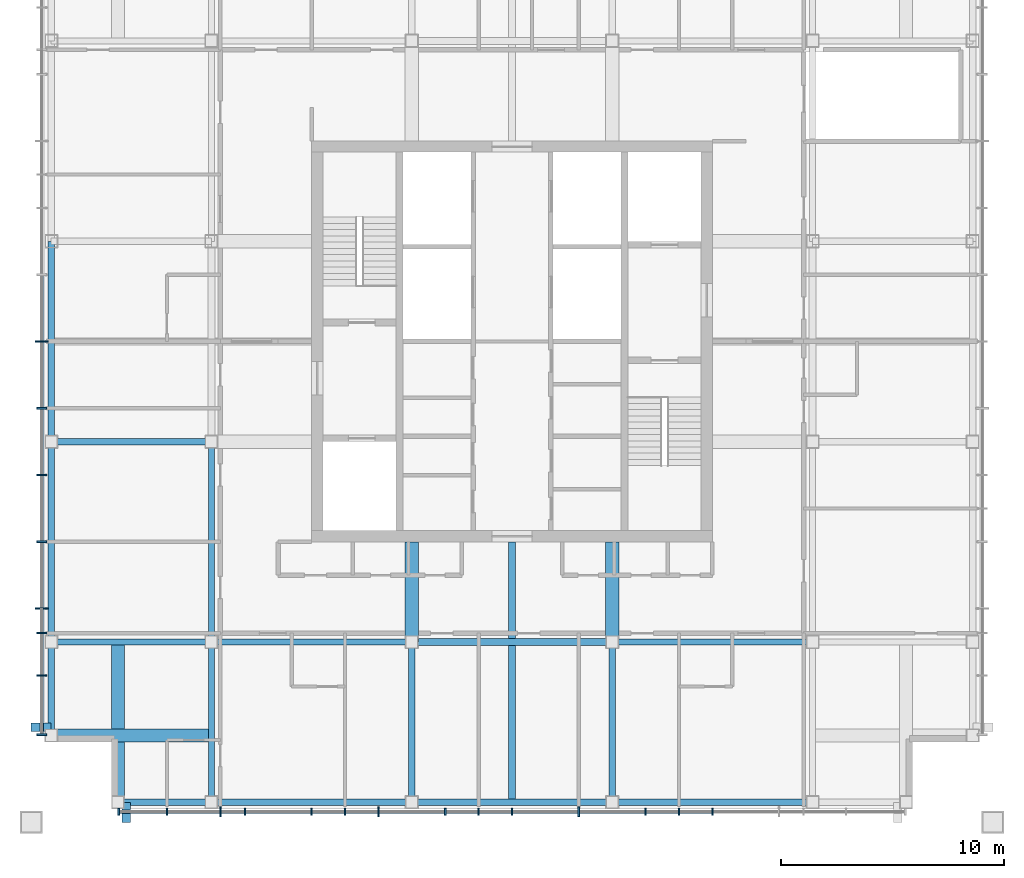
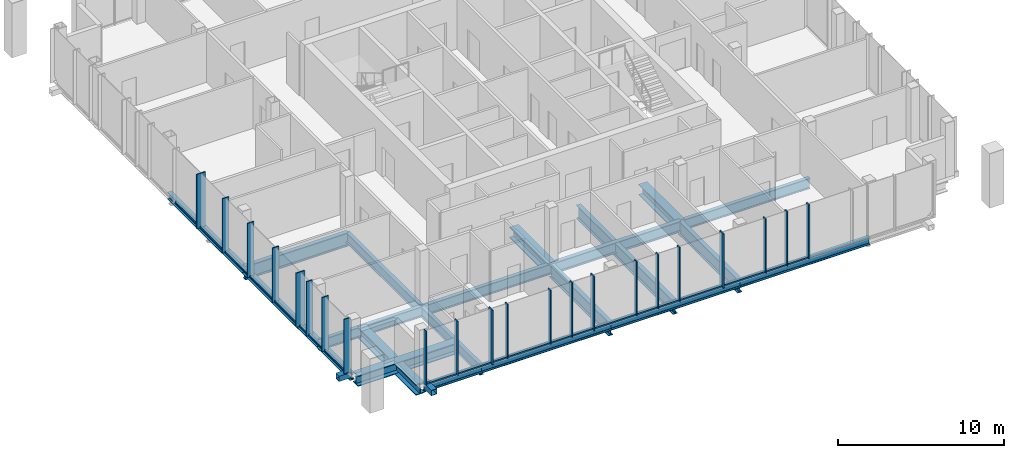
# One storey, part 2 of 12: 45 members, 21 beams, 2 elements without a shape of their own.
"""IFC4 building model written with IfcOpenShell, lengths in metres."""

from ifc_helpers import new_model, si_unit, direction, frame, origin, origin_2d, place, context, subcontext, project, spatial, rectangle, hollow_rectangle, i_section, extrude, material, layer, layer_set, material_profile, profile_set, type_object, element, aggregate, save


model = new_model("IFC4")

# Units and contexts
model_context = context("Model", 3, precision=1e-05, world=origin(), true_north=direction((0.0, 1.0)))
body_context = subcontext(model_context, "Body", "Model", "MODEL_VIEW")
ifc_project = project(units=[si_unit("LENGTHUNIT", "METRE"), si_unit("AREAUNIT", "SQUARE_METRE"), si_unit("VOLUMEUNIT", "CUBIC_METRE"), si_unit("PLANEANGLEUNIT", "RADIAN"), si_unit("MASSUNIT", "GRAM", prefix="KILO")], contexts=[model_context])

# Site, building, storey
site_placement = place(None, origin())
site = spatial("IfcSite", under=ifc_project, at=site_placement, CompositionType="ELEMENT")
building_placement = place(site_placement, origin())
building = spatial("IfcBuilding", under=site, at=building_placement, Name="Malebo Sky Hospital", CompositionType="ELEMENT")
storey_placement = place(building_placement, frame((0.0, 0.0, 286.0)))
storey = spatial("IfcBuildingStorey", under=building, at=storey_placement, Name="L69", CompositionType="ELEMENT", Elevation=286.0)

# Curtain wall, members
ifc_material_1 = material(Name="Anodised aluminium, natural silver", Category="aluminium")
ifc_layer_1 = layer(ifc_material_1, 0.25)
ifc_layer_set_1 = layer_set([ifc_layer_1], Name="WARD CURTAIN WALL EAST AND WEST")
curtain_wall_type_1 = type_object("IfcCurtainWallType", Name="WARD CURTAIN WALL EAST AND WEST", PredefinedType="NOTDEFINED", material=ifc_layer_set_1)
curtain_wall_1_placement = place(storey_placement, origin())
curtain_wall_1 = element("IfcCurtainWall", 1, at=curtain_wall_1_placement, inside=storey, type_object=curtain_wall_type_1, Name="EW curtain wall W", PredefinedType="NOTDEFINED")
ifc_material_profile_1 = material_profile(ifc_material_1, rectangle(XDim=0.14990234375, YDim=0.10009765625, at=origin_2d()), Name="ALUMINIUM TRANSOM 150x100")
ifc_profile_set_1 = profile_set([ifc_material_profile_1], Name="Anodised aluminium, natural silver")
member_type_1 = type_object("IfcMemberType", Name="ALUMINIUM TRANSOM 150x100", PredefinedType="USERDEFINED", material=ifc_profile_set_1)
member_1_placement = place(storey_placement, frame((38.875, 44.375, 0.050048828125), z_axis=(0.0, 1.0, 0.0), x_axis=(-1.0, 0.0, 0.0)))
member_1 = element("IfcMember", 2, at=member_1_placement, type_object=member_type_1, Name="Transom 1", ObjectType="TRANSOM", PredefinedType="USERDEFINED", context=body_context, shape_type="SweptSolid", body=[
    extrude(rectangle(XDim=0.14990234375, YDim=0.10009765625, at=origin_2d()), origin(), (0.0, 0.0, 1.0), 2.58740234375),
])
member_2_placement = place(storey_placement, frame((38.875, 47.03759765625, 0.050048828125), z_axis=(0.0, 1.0, 0.0), x_axis=(-1.0, 0.0, 0.0)))
member_2 = element("IfcMember", 3, at=member_2_placement, type_object=member_type_1, Name="Transom 2", ObjectType="TRANSOM", PredefinedType="USERDEFINED", context=body_context, shape_type="SweptSolid", body=[
    extrude(rectangle(XDim=0.14990234375, YDim=0.10009765625, at=origin_2d()), origin(), (0.0, 0.0, 1.0), 1.824951171875),
])
member_3_placement = place(storey_placement, frame((38.875, 48.9375, 0.050048828125), z_axis=(0.0, 1.0, 0.0), x_axis=(-1.0, 0.0, 0.0)))
member_3 = element("IfcMember", 4, at=member_3_placement, type_object=member_type_1, Name="Transom 3", ObjectType="TRANSOM", PredefinedType="USERDEFINED", context=body_context, shape_type="SweptSolid", body=[
    extrude(rectangle(XDim=0.14990234375, YDim=0.10009765625, at=origin_2d()), origin(), (0.0, 0.0, 1.0), 1.02490234375),
])
member_4_placement = place(storey_placement, frame((38.875, 50.03759765625, 0.050048828125), z_axis=(0.0, 1.0, 0.0), x_axis=(-1.0, 0.0, 0.0)))
member_4 = element("IfcMember", 5, at=member_4_placement, type_object=member_type_1, Name="Transom 4", ObjectType="TRANSOM", PredefinedType="USERDEFINED", context=body_context, shape_type="SweptSolid", body=[
    extrude(rectangle(XDim=0.14990234375, YDim=0.10009765625, at=origin_2d()), origin(), (0.0, 0.0, 1.0), 2.9248046875),
])
member_5_placement = place(storey_placement, frame((38.875, 53.03759765625, 0.050048828125), z_axis=(0.0, 1.0, 0.0), x_axis=(-1.0, 0.0, 0.0)))
member_5 = element("IfcMember", 6, at=member_5_placement, type_object=member_type_1, Name="Transom 5", ObjectType="TRANSOM", PredefinedType="USERDEFINED", context=body_context, shape_type="SweptSolid", body=[
    extrude(rectangle(XDim=0.14990234375, YDim=0.10009765625, at=origin_2d()), origin(), (0.0, 0.0, 1.0), 2.9248046875),
])
member_6_placement = place(storey_placement, frame((38.875, 56.03759765625, 0.050048828125), z_axis=(0.0, 1.0, 0.0), x_axis=(-1.0, 0.0, 0.0)))
member_6 = element("IfcMember", 7, at=member_6_placement, type_object=member_type_1, Name="Transom 6", ObjectType="TRANSOM", PredefinedType="USERDEFINED", context=body_context, shape_type="SweptSolid", body=[
    extrude(rectangle(XDim=0.14990234375, YDim=0.10009765625, at=origin_2d()), origin(), (0.0, 0.0, 1.0), 2.9248046875),
])
member_7_placement = place(storey_placement, frame((38.875, 59.03759765625, 0.050048828125), z_axis=(0.0, 1.0, 0.0), x_axis=(-1.0, 0.0, 0.0)))
member_7 = element("IfcMember", 8, at=member_7_placement, type_object=member_type_1, Name="Transom 7", ObjectType="TRANSOM", PredefinedType="USERDEFINED", context=body_context, shape_type="SweptSolid", body=[
    extrude(rectangle(XDim=0.14990234375, YDim=0.10009765625, at=origin_2d()), origin(), (0.0, 0.0, 1.0), 2.9248046875),
])
member_8_placement = place(storey_placement, frame((38.875, 62.03759765625, 0.050048828125), z_axis=(0.0, 1.0, 0.0), x_axis=(-1.0, 0.0, 0.0)))
member_8 = element("IfcMember", 9, at=member_8_placement, type_object=member_type_1, Name="Transom 8", ObjectType="TRANSOM", PredefinedType="USERDEFINED", context=body_context, shape_type="SweptSolid", body=[
    extrude(rectangle(XDim=0.14990234375, YDim=0.10009765625, at=origin_2d()), origin(), (0.0, 0.0, 1.0), 2.9248046875),
])

ifc_layer_2 = layer(ifc_material_1, 0.25)
ifc_layer_set_2 = layer_set([ifc_layer_2], Name="WARD CURTAIN WALL NORTH AND SOUTH")
curtain_wall_type_2 = type_object("IfcCurtainWallType", Name="WARD CURTAIN WALL NORTH AND SOUTH", PredefinedType="NOTDEFINED", material=ifc_layer_set_2)
curtain_wall_2_placement = place(storey_placement, origin())
curtain_wall_2 = element("IfcCurtainWall", 10, at=curtain_wall_2_placement, inside=storey, type_object=curtain_wall_type_2, Name="NS curtain wall S", PredefinedType="NOTDEFINED")
member_9_placement = place(storey_placement, frame((68.96240234375, 40.875, 0.050048828125), z_axis=(-1.0, 0.0, 0.0), x_axis=(0.0, -1.0, 0.0)))
member_9 = element("IfcMember", 11, at=member_9_placement, type_object=member_type_1, Name="Transom 5", ObjectType="TRANSOM", PredefinedType="USERDEFINED", context=body_context, shape_type="SweptSolid", body=[
    extrude(rectangle(XDim=0.14990234375, YDim=0.10009765625, at=origin_2d()), origin(), (0.0, 0.0, 1.0), 1.4248046875),
])
member_10_placement = place(storey_placement, frame((67.46240234375, 40.875, 0.050048828125), z_axis=(-1.0, 0.0, 0.0), x_axis=(0.0, -1.0, 0.0)))
member_10 = element("IfcMember", 12, at=member_10_placement, type_object=member_type_1, Name="Transom 6", ObjectType="TRANSOM", PredefinedType="USERDEFINED", context=body_context, shape_type="SweptSolid", body=[
    extrude(rectangle(XDim=0.14990234375, YDim=0.10009765625, at=origin_2d()), origin(), (0.0, 0.0, 1.0), 1.4248046875),
])
member_11_placement = place(storey_placement, frame((65.96240234375, 40.875, 0.050048828125), z_axis=(-1.0, 0.0, 0.0), x_axis=(0.0, -1.0, 0.0)))
member_11 = element("IfcMember", 13, at=member_11_placement, type_object=member_type_1, Name="Transom 7", ObjectType="TRANSOM", PredefinedType="USERDEFINED", context=body_context, shape_type="SweptSolid", body=[
    extrude(rectangle(XDim=0.14990234375, YDim=0.10009765625, at=origin_2d()), origin(), (0.0, 0.0, 1.0), 2.9248046875),
])
member_12_placement = place(storey_placement, frame((62.96240234375, 40.875, 0.050048828125), z_axis=(-1.0, 0.0, 0.0), x_axis=(0.0, -1.0, 0.0)))
member_12 = element("IfcMember", 14, at=member_12_placement, type_object=member_type_1, Name="Transom 8", ObjectType="TRANSOM", PredefinedType="USERDEFINED", context=body_context, shape_type="SweptSolid", body=[
    extrude(rectangle(XDim=0.14990234375, YDim=0.10009765625, at=origin_2d()), origin(), (0.0, 0.0, 1.0), 2.9248046875),
])
member_13_placement = place(storey_placement, frame((59.96240234375, 40.875, 0.050048828125), z_axis=(-1.0, 0.0, 0.0), x_axis=(0.0, -1.0, 0.0)))
member_13 = element("IfcMember", 15, at=member_13_placement, type_object=member_type_1, Name="Transom 9", ObjectType="TRANSOM", PredefinedType="USERDEFINED", context=body_context, shape_type="SweptSolid", body=[
    extrude(rectangle(XDim=0.14990234375, YDim=0.10009765625, at=origin_2d()), origin(), (0.0, 0.0, 1.0), 1.4248046875),
])
member_14_placement = place(storey_placement, frame((58.46240234375, 40.875, 0.050048828125), z_axis=(-1.0, 0.0, 0.0), x_axis=(0.0, -1.0, 0.0)))
member_14 = element("IfcMember", 16, at=member_14_placement, type_object=member_type_1, Name="Transom 10", ObjectType="TRANSOM", PredefinedType="USERDEFINED", context=body_context, shape_type="SweptSolid", body=[
    extrude(rectangle(XDim=0.14990234375, YDim=0.10009765625, at=origin_2d()), origin(), (0.0, 0.0, 1.0), 1.4248046875),
])
member_15_placement = place(storey_placement, frame((56.96240234375, 40.875, 0.050048828125), z_axis=(-1.0, 0.0, 0.0), x_axis=(0.0, -1.0, 0.0)))
member_15 = element("IfcMember", 17, at=member_15_placement, type_object=member_type_1, Name="Transom 11", ObjectType="TRANSOM", PredefinedType="USERDEFINED", context=body_context, shape_type="SweptSolid", body=[
    extrude(rectangle(XDim=0.14990234375, YDim=0.10009765625, at=origin_2d()), origin(), (0.0, 0.0, 1.0), 2.9248046875),
])
member_16_placement = place(storey_placement, frame((53.96240234375, 40.875, 0.050048828125), z_axis=(-1.0, 0.0, 0.0), x_axis=(0.0, -1.0, 0.0)))
member_16 = element("IfcMember", 18, at=member_16_placement, type_object=member_type_1, Name="Transom 12", ObjectType="TRANSOM", PredefinedType="USERDEFINED", context=body_context, shape_type="SweptSolid", body=[
    extrude(rectangle(XDim=0.14990234375, YDim=0.10009765625, at=origin_2d()), origin(), (0.0, 0.0, 1.0), 1.4248046875),
])
member_17_placement = place(storey_placement, frame((52.46240234375, 40.875, 0.050048828125), z_axis=(-1.0, 0.0, 0.0), x_axis=(0.0, -1.0, 0.0)))
member_17 = element("IfcMember", 19, at=member_17_placement, type_object=member_type_1, Name="Transom 13", ObjectType="TRANSOM", PredefinedType="USERDEFINED", context=body_context, shape_type="SweptSolid", body=[
    extrude(rectangle(XDim=0.14990234375, YDim=0.10009765625, at=origin_2d()), origin(), (0.0, 0.0, 1.0), 1.4248046875),
])
member_18_placement = place(storey_placement, frame((50.96240234375, 40.875, 0.050048828125), z_axis=(-1.0, 0.0, 0.0), x_axis=(0.0, -1.0, 0.0)))
member_18 = element("IfcMember", 20, at=member_18_placement, type_object=member_type_1, Name="Transom 14", ObjectType="TRANSOM", PredefinedType="USERDEFINED", context=body_context, shape_type="SweptSolid", body=[
    extrude(rectangle(XDim=0.14990234375, YDim=0.10009765625, at=origin_2d()), origin(), (0.0, 0.0, 1.0), 2.9248046875),
])
member_19_placement = place(storey_placement, frame((47.96240234375, 40.875, 0.050048828125), z_axis=(-1.0, 0.0, 0.0), x_axis=(0.0, -1.0, 0.0)))
member_19 = element("IfcMember", 21, at=member_19_placement, type_object=member_type_1, Name="Transom 15", ObjectType="TRANSOM", PredefinedType="USERDEFINED", context=body_context, shape_type="SweptSolid", body=[
    extrude(rectangle(XDim=0.14990234375, YDim=0.10009765625, at=origin_2d()), origin(), (0.0, 0.0, 1.0), 1.02490234375),
])
member_20_placement = place(storey_placement, frame((46.862548828125, 40.875, 0.050048828125), z_axis=(-1.0, 0.0, 0.0), x_axis=(0.0, -1.0, 0.0)))
member_20 = element("IfcMember", 22, at=member_20_placement, type_object=member_type_1, Name="Transom 16", ObjectType="TRANSOM", PredefinedType="USERDEFINED", context=body_context, shape_type="SweptSolid", body=[
    extrude(rectangle(XDim=0.14990234375, YDim=0.10009765625, at=origin_2d()), origin(), (0.0, 0.0, 1.0), 2.324951171875),
])
member_21_placement = place(storey_placement, frame((44.46240234375, 40.875, 0.050048828125), z_axis=(-1.0, 0.0, 0.0), x_axis=(0.0, -1.0, 0.0)))
member_21 = element("IfcMember", 23, at=member_21_placement, type_object=member_type_1, Name="Transom 17", ObjectType="TRANSOM", PredefinedType="USERDEFINED", context=body_context, shape_type="SweptSolid", body=[
    extrude(rectangle(XDim=0.14990234375, YDim=0.10009765625, at=origin_2d()), origin(), (0.0, 0.0, 1.0), 2.08740234375),
])

# Members
ifc_material_2 = material(Name="Steel S355", Category="steel")
ifc_material_profile_2 = material_profile(ifc_material_2, hollow_rectangle(XDim=0.39990234375, YDim=0.39990234375, WallThickness=0.02001953125, at=origin_2d()), Name="SHS 400x20")
ifc_profile_set_2 = profile_set([ifc_material_profile_2], Name="Steel S355")
member_type_2 = type_object("IfcMemberType", Name="BRACE STRUT SHS 400x20", PredefinedType="STRUT", material=ifc_profile_set_2)
for number, where, z_axis, x_axis, name in (
    (24, (42.671875, 40.39990234375, -0.39990234375), (0.0, 1.0, 0.0), (-1.0, 0.0, 0.0), "Brace strut DS2 L69"),
    (25, (38.39990234375, 44.671875, -0.39990234375), (1.0, 0.0, 0.0), (0.0, 1.0, 0.0), "Brace strut DW1 L69"),
):
    element("IfcMember", number, at=place(storey_placement, frame(where, z_axis=z_axis, x_axis=x_axis)), inside=storey, type_object=member_type_2, Name=name, PredefinedType="STRUT", context=body_context, shape_type="SweptSolid", body=[
        extrude(hollow_rectangle(XDim=0.39990234375, YDim=0.39990234375, WallThickness=0.02001953125, at=origin_2d()), origin(), (0.0, 0.0, 1.0), 0.900146484375),
    ])

# Member
ifc_material_profile_3 = material_profile(ifc_material_1, rectangle(XDim=0.074951171875, YDim=0.300048828125, at=origin_2d()), Name="CW1 ALUMINIUM FIN MULLION 75x300")
ifc_profile_set_3 = profile_set([ifc_material_profile_3], Name="Anodised aluminium, natural silver")
member_type_3 = type_object("IfcMemberType", Name="CW1 ALUMINIUM FIN MULLION 75x300", PredefinedType="MULLION", material=ifc_profile_set_3)
member_22_placement = place(storey_placement, frame((69.0, 40.875, 0.0), z_axis=(0.0, 0.0, 1.0), x_axis=(-1.0, 0.0, 0.0)))
member_22 = element("IfcMember", 26, at=member_22_placement, type_object=member_type_3, Name="Fin mullion 5", PredefinedType="MULLION", context=body_context, shape_type="SweptSolid", body=[
    extrude(rectangle(XDim=0.074951171875, YDim=0.300048828125, at=origin_2d()), origin(), (0.0, 0.0, 1.0), 4.0),
])

member_23_placement = place(storey_placement, frame((67.5, 40.875, 0.0), z_axis=(0.0, 0.0, 1.0), x_axis=(-1.0, 0.0, 0.0)))
member_23 = element("IfcMember", 27, at=member_23_placement, type_object=member_type_3, Name="Fin mullion 6", PredefinedType="MULLION", context=body_context, shape_type="SweptSolid", body=[
    extrude(rectangle(XDim=0.074951171875, YDim=0.300048828125, at=origin_2d()), origin(), (0.0, 0.0, 1.0), 4.0),
])

member_24_placement = place(storey_placement, frame((66.0, 40.875, 0.0), z_axis=(0.0, 0.0, 1.0), x_axis=(-1.0, 0.0, 0.0)))
member_24 = element("IfcMember", 28, at=member_24_placement, type_object=member_type_3, Name="Fin mullion 7", PredefinedType="MULLION", context=body_context, shape_type="SweptSolid", body=[
    extrude(rectangle(XDim=0.074951171875, YDim=0.300048828125, at=origin_2d()), origin(), (0.0, 0.0, 1.0), 4.0),
])

member_25_placement = place(storey_placement, frame((60.0, 40.875, 0.0), z_axis=(0.0, 0.0, 1.0), x_axis=(-1.0, 0.0, 0.0)))
member_25 = element("IfcMember", 29, at=member_25_placement, type_object=member_type_3, Name="Fin mullion 9", PredefinedType="MULLION", context=body_context, shape_type="SweptSolid", body=[
    extrude(rectangle(XDim=0.074951171875, YDim=0.300048828125, at=origin_2d()), origin(), (0.0, 0.0, 1.0), 4.0),
])

member_26_placement = place(storey_placement, frame((58.5, 40.875, 0.0), z_axis=(0.0, 0.0, 1.0), x_axis=(-1.0, 0.0, 0.0)))
member_26 = element("IfcMember", 30, at=member_26_placement, type_object=member_type_3, Name="Fin mullion 10", PredefinedType="MULLION", context=body_context, shape_type="SweptSolid", body=[
    extrude(rectangle(XDim=0.074951171875, YDim=0.300048828125, at=origin_2d()), origin(), (0.0, 0.0, 1.0), 4.0),
])

member_27_placement = place(storey_placement, frame((57.0, 40.875, 0.0), z_axis=(0.0, 0.0, 1.0), x_axis=(-1.0, 0.0, 0.0)))
member_27 = element("IfcMember", 31, at=member_27_placement, type_object=member_type_3, Name="Fin mullion 11", PredefinedType="MULLION", context=body_context, shape_type="SweptSolid", body=[
    extrude(rectangle(XDim=0.074951171875, YDim=0.300048828125, at=origin_2d()), origin(), (0.0, 0.0, 1.0), 4.0),
])

member_28_placement = place(storey_placement, frame((52.5, 40.875, 0.0), z_axis=(0.0, 0.0, 1.0), x_axis=(-1.0, 0.0, 0.0)))
member_28 = element("IfcMember", 32, at=member_28_placement, type_object=member_type_3, Name="Fin mullion 13", PredefinedType="MULLION", context=body_context, shape_type="SweptSolid", body=[
    extrude(rectangle(XDim=0.074951171875, YDim=0.300048828125, at=origin_2d()), origin(), (0.0, 0.0, 1.0), 4.0),
])

member_29_placement = place(storey_placement, frame((51.0, 40.875, 0.0), z_axis=(0.0, 0.0, 1.0), x_axis=(-1.0, 0.0, 0.0)))
member_29 = element("IfcMember", 33, at=member_29_placement, type_object=member_type_3, Name="Fin mullion 14", PredefinedType="MULLION", context=body_context, shape_type="SweptSolid", body=[
    extrude(rectangle(XDim=0.074951171875, YDim=0.300048828125, at=origin_2d()), origin(), (0.0, 0.0, 1.0), 4.0),
])

member_30_placement = place(storey_placement, frame((48.0, 40.875, 0.0), z_axis=(0.0, 0.0, 1.0), x_axis=(-1.0, 0.0, 0.0)))
member_30 = element("IfcMember", 34, at=member_30_placement, type_object=member_type_3, Name="Fin mullion 15", PredefinedType="MULLION", context=body_context, shape_type="SweptSolid", body=[
    extrude(rectangle(XDim=0.074951171875, YDim=0.300048828125, at=origin_2d()), origin(), (0.0, 0.0, 1.0), 4.0),
])

member_31_placement = place(storey_placement, frame((44.5, 40.875, 0.0), z_axis=(0.0, 0.0, 1.0), x_axis=(-1.0, 0.0, 0.0)))
member_31 = element("IfcMember", 35, at=member_31_placement, type_object=member_type_3, Name="Fin mullion 17", PredefinedType="MULLION", context=body_context, shape_type="SweptSolid", body=[
    extrude(rectangle(XDim=0.074951171875, YDim=0.300048828125, at=origin_2d()), origin(), (0.0, 0.0, 1.0), 4.0),
])

member_32_placement = place(storey_placement, frame((42.33740234375, 40.875, 0.0), z_axis=(0.0, 0.0, 1.0), x_axis=(-1.0, 0.0, 0.0)))
member_32 = element("IfcMember", 36, at=member_32_placement, type_object=member_type_3, Name="Fin mullion 18", PredefinedType="MULLION", context=body_context, shape_type="SweptSolid", body=[
    extrude(rectangle(XDim=0.074951171875, YDim=0.300048828125, at=origin_2d()), origin(), (0.0, 0.0, 1.0), 4.0),
])

ifc_material_profile_4 = material_profile(ifc_material_1, rectangle(XDim=0.074951171875, YDim=0.449951171875, at=origin_2d()), Name="CW1 ALUMINIUM FIN MULLION 75x450")
ifc_profile_set_4 = profile_set([ifc_material_profile_4], Name="Anodised aluminium, natural silver")
member_type_4 = type_object("IfcMemberType", Name="CW1 ALUMINIUM FIN MULLION 75x450", PredefinedType="MULLION", material=ifc_profile_set_4)
member_33_placement = place(storey_placement, frame((63.0, 40.875, 0.0), z_axis=(0.0, 0.0, 1.0), x_axis=(-1.0, 0.0, 0.0)))
member_33 = element("IfcMember", 37, at=member_33_placement, type_object=member_type_4, Name="Fin mullion 8", PredefinedType="MULLION", context=body_context, shape_type="SweptSolid", body=[
    extrude(rectangle(XDim=0.074951171875, YDim=0.449951171875, at=origin_2d()), origin(), (0.0, 0.0, 1.0), 4.0),
])

member_34_placement = place(storey_placement, frame((54.0, 40.875, 0.0), z_axis=(0.0, 0.0, 1.0), x_axis=(-1.0, 0.0, 0.0)))
member_34 = element("IfcMember", 38, at=member_34_placement, type_object=member_type_4, Name="Fin mullion 12", PredefinedType="MULLION", context=body_context, shape_type="SweptSolid", body=[
    extrude(rectangle(XDim=0.074951171875, YDim=0.449951171875, at=origin_2d()), origin(), (0.0, 0.0, 1.0), 4.0),
])

member_35_placement = place(storey_placement, frame((46.89990234375, 40.875, 0.0), z_axis=(0.0, 0.0, 1.0), x_axis=(-1.0, 0.0, 0.0)))
member_35 = element("IfcMember", 39, at=member_35_placement, type_object=member_type_4, Name="Fin mullion 16", PredefinedType="MULLION", context=body_context, shape_type="SweptSolid", body=[
    extrude(rectangle(XDim=0.074951171875, YDim=0.449951171875, at=origin_2d()), origin(), (0.0, 0.0, 1.0), 4.0),
])

aggregate(curtain_wall_2, [member_22, member_23, member_24, member_33, member_25, member_26, member_27, member_34, member_28, member_29, member_30, member_35, member_31, member_32, member_9, member_10, member_11, member_12, member_13, member_14, member_15, member_16, member_17, member_18, member_19, member_20, member_21])

ifc_material_profile_5 = material_profile(ifc_material_1, rectangle(XDim=0.074951171875, YDim=0.449951171875, at=origin_2d()), Name="CW2 ALUMINIUM FIN MULLION 75x450")
ifc_profile_set_5 = profile_set([ifc_material_profile_5], Name="Anodised aluminium, natural silver")
member_type_5 = type_object("IfcMemberType", Name="CW2 ALUMINIUM FIN MULLION 75x450", PredefinedType="MULLION", material=ifc_profile_set_5)
member_36_placement = place(storey_placement, frame((38.875, 44.33740234375, 0.0), z_axis=(0.0, 0.0, 1.0), x_axis=(0.0, 1.0, 0.0)))
member_36 = element("IfcMember", 40, at=member_36_placement, type_object=member_type_5, Name="Fin mullion 1", PredefinedType="MULLION", context=body_context, shape_type="SweptSolid", body=[
    extrude(rectangle(XDim=0.074951171875, YDim=0.449951171875, at=origin_2d()), origin(), (0.0, 0.0, 1.0), 4.0),
])

member_37_placement = place(storey_placement, frame((38.875, 47.0, 0.0), z_axis=(0.0, 0.0, 1.0), x_axis=(0.0, 1.0, 0.0)))
member_37 = element("IfcMember", 41, at=member_37_placement, type_object=member_type_5, Name="Fin mullion 2", PredefinedType="MULLION", context=body_context, shape_type="SweptSolid", body=[
    extrude(rectangle(XDim=0.074951171875, YDim=0.449951171875, at=origin_2d()), origin(), (0.0, 0.0, 1.0), 4.0),
])

member_38_placement = place(storey_placement, frame((38.875, 48.89990234375, 0.0), z_axis=(0.0, 0.0, 1.0), x_axis=(0.0, 1.0, 0.0)))
member_38 = element("IfcMember", 42, at=member_38_placement, type_object=member_type_5, Name="Fin mullion 3", PredefinedType="MULLION", context=body_context, shape_type="SweptSolid", body=[
    extrude(rectangle(XDim=0.074951171875, YDim=0.449951171875, at=origin_2d()), origin(), (0.0, 0.0, 1.0), 4.0),
])

member_39_placement = place(storey_placement, frame((38.875, 53.0, 0.0), z_axis=(0.0, 0.0, 1.0), x_axis=(0.0, 1.0, 0.0)))
member_39 = element("IfcMember", 43, at=member_39_placement, type_object=member_type_5, Name="Fin mullion 5", PredefinedType="MULLION", context=body_context, shape_type="SweptSolid", body=[
    extrude(rectangle(XDim=0.074951171875, YDim=0.449951171875, at=origin_2d()), origin(), (0.0, 0.0, 1.0), 4.0),
])

member_40_placement = place(storey_placement, frame((38.875, 56.0, 0.0), z_axis=(0.0, 0.0, 1.0), x_axis=(0.0, 1.0, 0.0)))
member_40 = element("IfcMember", 44, at=member_40_placement, type_object=member_type_5, Name="Fin mullion 6", PredefinedType="MULLION", context=body_context, shape_type="SweptSolid", body=[
    extrude(rectangle(XDim=0.074951171875, YDim=0.449951171875, at=origin_2d()), origin(), (0.0, 0.0, 1.0), 4.0),
])

member_41_placement = place(storey_placement, frame((38.875, 59.0, 0.0), z_axis=(0.0, 0.0, 1.0), x_axis=(0.0, 1.0, 0.0)))
member_41 = element("IfcMember", 45, at=member_41_placement, type_object=member_type_5, Name="Fin mullion 7", PredefinedType="MULLION", context=body_context, shape_type="SweptSolid", body=[
    extrude(rectangle(XDim=0.074951171875, YDim=0.449951171875, at=origin_2d()), origin(), (0.0, 0.0, 1.0), 4.0),
])

ifc_material_profile_6 = material_profile(ifc_material_1, rectangle(XDim=0.074951171875, YDim=0.60009765625, at=origin_2d()), Name="CW2 ALUMINIUM FIN MULLION 75x600")
ifc_profile_set_6 = profile_set([ifc_material_profile_6], Name="Anodised aluminium, natural silver")
member_type_6 = type_object("IfcMemberType", Name="CW2 ALUMINIUM FIN MULLION 75x600", PredefinedType="MULLION", material=ifc_profile_set_6)
member_42_placement = place(storey_placement, frame((38.875, 50.0, 0.0), z_axis=(0.0, 0.0, 1.0), x_axis=(0.0, 1.0, 0.0)))
member_42 = element("IfcMember", 46, at=member_42_placement, type_object=member_type_6, Name="Fin mullion 4", PredefinedType="MULLION", context=body_context, shape_type="SweptSolid", body=[
    extrude(rectangle(XDim=0.074951171875, YDim=0.60009765625, at=origin_2d()), origin(), (0.0, 0.0, 1.0), 4.0),
])

member_43_placement = place(storey_placement, frame((38.875, 62.0, 0.0), z_axis=(0.0, 0.0, 1.0), x_axis=(0.0, 1.0, 0.0)))
member_43 = element("IfcMember", 47, at=member_43_placement, type_object=member_type_6, Name="Fin mullion 8", PredefinedType="MULLION", context=body_context, shape_type="SweptSolid", body=[
    extrude(rectangle(XDim=0.074951171875, YDim=0.60009765625, at=origin_2d()), origin(), (0.0, 0.0, 1.0), 4.0),
])

aggregate(curtain_wall_1, [member_36, member_37, member_38, member_42, member_39, member_40, member_41, member_43, member_1, member_2, member_3, member_4, member_5, member_6, member_7, member_8])

# Beams
ifc_material_profile_7 = material_profile(ifc_material_2, i_section(OverallWidth=0.305908203125, OverallDepth=0.52392578125, WebThickness=0.02099609375, FlangeThickness=0.0400390625, FilletRadius=0.027099609375, at=origin_2d()), Name="HEM 500")
ifc_profile_set_7 = profile_set([ifc_material_profile_7], Name="Steel S355")
beam_type_1 = type_object("IfcBeamType", Name="EDGE BEAM HEM 500", PredefinedType="BEAM", material=ifc_profile_set_7)
beam_1_placement = place(storey_placement, frame((39.300048828125, 44.449951171875, -0.511962890625), z_axis=(0.0, 1.0, 0.0), x_axis=(-1.0, 0.0, 0.0)))
element("IfcBeam", 48, at=beam_1_placement, inside=storey, type_object=beam_type_1, Name="Beam 000 L69", PredefinedType="BEAM", context=body_context, shape_type="SweptSolid", body=[
    extrude(i_section(OverallWidth=0.305908203125, OverallDepth=0.52392578125, WebThickness=0.02099609375, FlangeThickness=0.0400390625, FilletRadius=0.027099609375, at=origin_2d()), origin(), (0.0, 0.0, 1.0), 4.050048828125),
])
for number, where, z_axis, x_axis, name in (
    (49, (39.300048828125, 48.5, -0.511962890625), (0.0, 1.0, 0.0), (-1.0, 0.0, 0.0), "Beam 001 L69"),
    (50, (39.300048828125, 57.5, -0.511962890625), (0.0, 1.0, 0.0), (-1.0, 0.0, 0.0), "Beam 002 L69"),
):
    element("IfcBeam", number, at=place(storey_placement, frame(where, z_axis=z_axis, x_axis=x_axis)), inside=storey, type_object=beam_type_1, Name=name, PredefinedType="BEAM", context=body_context, shape_type="SweptSolid", body=[
        extrude(i_section(OverallWidth=0.305908203125, OverallDepth=0.52392578125, WebThickness=0.02099609375, FlangeThickness=0.0400390625, FilletRadius=0.027099609375, at=origin_2d()), origin(), (0.0, 0.0, 1.0), 9.0),
    ])
beam_2_placement = place(storey_placement, frame((42.449951171875, 41.300048828125, -0.511962890625), z_axis=(1.0, 0.0, 0.0), x_axis=(0.0, 1.0, 0.0)))
element("IfcBeam", 51, at=beam_2_placement, inside=storey, type_object=beam_type_1, Name="Beam 034 L69", PredefinedType="BEAM", context=body_context, shape_type="SweptSolid", body=[
    extrude(i_section(OverallWidth=0.305908203125, OverallDepth=0.52392578125, WebThickness=0.02099609375, FlangeThickness=0.0400390625, FilletRadius=0.027099609375, at=origin_2d()), origin(), (0.0, 0.0, 1.0), 4.050048828125),
])
for number, where, z_axis, x_axis, name in (
    (52, (46.5, 41.300048828125, -0.511962890625), (1.0, 0.0, 0.0), (0.0, 1.0, 0.0), "Beam 035 L69"),
    (53, (55.5, 41.300048828125, -0.511962890625), (1.0, 0.0, 0.0), (0.0, 1.0, 0.0), "Beam 036 L69"),
    (54, (64.5, 41.300048828125, -0.511962890625), (1.0, 0.0, 0.0), (0.0, 1.0, 0.0), "Beam 037 L69"),
):
    element("IfcBeam", number, at=place(storey_placement, frame(where, z_axis=z_axis, x_axis=x_axis)), inside=storey, type_object=beam_type_1, Name=name, PredefinedType="BEAM", context=body_context, shape_type="SweptSolid", body=[
        extrude(i_section(OverallWidth=0.305908203125, OverallDepth=0.52392578125, WebThickness=0.02099609375, FlangeThickness=0.0400390625, FilletRadius=0.027099609375, at=origin_2d()), origin(), (0.0, 0.0, 1.0), 9.0),
    ])
ifc_material_profile_8 = material_profile(ifc_material_2, i_section(OverallWidth=0.300048828125, OverallDepth=1.0, WebThickness=0.01904296875, FlangeThickness=0.035888671875, FilletRadius=0.030029296875, at=origin_2d()), Name="HEB 1000")
ifc_profile_set_8 = profile_set([ifc_material_profile_8], Name="Steel S355")
beam_type_2 = type_object("IfcBeamType", Name="FLOOR BEAM HEB 1000", PredefinedType="BEAM", material=ifc_profile_set_8)
beam_3_placement = place(storey_placement, frame((55.5, 41.300048828125, -0.75), z_axis=(0.0, 1.0, 0.0), x_axis=(-1.0, 0.0, 0.0)))
element("IfcBeam", 55, at=beam_3_placement, inside=storey, type_object=beam_type_2, Name="Beam 012 L69", PredefinedType="BEAM", context=body_context, shape_type="SweptSolid", body=[
    extrude(i_section(OverallWidth=0.300048828125, OverallDepth=1.0, WebThickness=0.01904296875, FlangeThickness=0.035888671875, FilletRadius=0.030029296875, at=origin_2d()), origin(), (0.0, 0.0, 1.0), 7.199951171875),
])
beam_4_placement = place(storey_placement, frame((60.0, 41.300048828125, -0.75), z_axis=(0.0, 1.0, 0.0), x_axis=(-1.0, 0.0, 0.0)))
element("IfcBeam", 56, at=beam_4_placement, inside=storey, type_object=beam_type_2, Name="Beam 016 L69", PredefinedType="BEAM", context=body_context, shape_type="SweptSolid", body=[
    extrude(i_section(OverallWidth=0.300048828125, OverallDepth=1.0, WebThickness=0.01904296875, FlangeThickness=0.035888671875, FilletRadius=0.030029296875, at=origin_2d()), origin(), (0.0, 0.0, 1.0), 11.699951171875),
])
for number, where, z_axis, x_axis, name in (
    (57, (64.5, 41.300048828125, -0.75), (0.0, 1.0, 0.0), (-1.0, 0.0, 0.0), "Beam 018 L69"),
    (58, (39.300048828125, 57.5, -0.75), (1.0, 0.0, 0.0), (0.0, 1.0, 0.0), "Beam 046 L69"),
):
    element("IfcBeam", number, at=place(storey_placement, frame(where, z_axis=z_axis, x_axis=x_axis)), inside=storey, type_object=beam_type_2, Name=name, PredefinedType="BEAM", context=body_context, shape_type="SweptSolid", body=[
        extrude(i_section(OverallWidth=0.300048828125, OverallDepth=1.0, WebThickness=0.01904296875, FlangeThickness=0.035888671875, FilletRadius=0.030029296875, at=origin_2d()), origin(), (0.0, 0.0, 1.0), 7.199951171875),
    ])
ifc_material_profile_9 = material_profile(ifc_material_2, i_section(OverallWidth=0.26708984375, OverallDepth=0.761962890625, WebThickness=0.014404296875, FlangeThickness=0.021484375, FilletRadius=0.01708984375, at=origin_2d()), Name="IPE 750x173")
ifc_profile_set_9 = profile_set([ifc_material_profile_9], Name="Steel S355")
beam_type_3 = type_object("IfcBeamType", Name="FLOOR BEAM IPE 750x173", PredefinedType="BEAM", material=ifc_profile_set_9)
for number, where, z_axis, x_axis, name in (
    (59, (46.5, 48.5, -0.631103515625), (0.0, 1.0, 0.0), (-1.0, 0.0, 0.0), "Beam 008 L69"),
    (60, (46.5, 48.5, -0.631103515625), (1.0, 0.0, 0.0), (0.0, 1.0, 0.0), "Beam 042 L69"),
    (61, (64.5, 48.5, -0.631103515625), (1.0, 0.0, 0.0), (0.0, 1.0, 0.0), "Beam 044 L69"),
):
    element("IfcBeam", number, at=place(storey_placement, frame(where, z_axis=z_axis, x_axis=x_axis)), inside=storey, type_object=beam_type_3, Name=name, PredefinedType="BEAM", context=body_context, shape_type="SweptSolid", body=[
        extrude(i_section(OverallWidth=0.26708984375, OverallDepth=0.761962890625, WebThickness=0.014404296875, FlangeThickness=0.021484375, FilletRadius=0.01708984375, at=origin_2d()), origin(), (0.0, 0.0, 1.0), 9.0),
    ])
ifc_material_profile_10 = material_profile(ifc_material_2, i_section(OverallWidth=0.60009765625, OverallDepth=0.800048828125, WebThickness=0.0400390625, FlangeThickness=0.06005859375, at=origin_2d()), Name="PG 800x600x40x60")
ifc_profile_set_10 = profile_set([ifc_material_profile_10], Name="Steel S355")
beam_type_4 = type_object("IfcBeamType", Name="FLOOR BEAM PG 800x600x40x60", PredefinedType="BEAM", material=ifc_profile_set_10)
beam_5_placement = place(storey_placement, frame((42.300048828125, 41.449951171875, -0.64990234375), z_axis=(0.0, 1.0, 0.0), x_axis=(-1.0, 0.0, 0.0)))
element("IfcBeam", 62, at=beam_5_placement, inside=storey, type_object=beam_type_4, Name="Beam 005 L69", PredefinedType="BEAM", context=body_context, shape_type="SweptSolid", body=[
    extrude(i_section(OverallWidth=0.60009765625, OverallDepth=0.800048828125, WebThickness=0.0400390625, FlangeThickness=0.06005859375, at=origin_2d()), origin(), (0.0, 0.0, 1.0), 7.050048828125),
])
for number, where, z_axis, x_axis, name in (
    (63, (55.5, 48.5, -0.64990234375), (0.0, 1.0, 0.0), (-1.0, 0.0, 0.0), "Beam 013 L69"),
    (64, (64.5, 48.5, -0.64990234375), (0.0, 1.0, 0.0), (-1.0, 0.0, 0.0), "Beam 019 L69"),
):
    element("IfcBeam", number, at=place(storey_placement, frame(where, z_axis=z_axis, x_axis=x_axis)), inside=storey, type_object=beam_type_4, Name=name, PredefinedType="BEAM", context=body_context, shape_type="SweptSolid", body=[
        extrude(i_section(OverallWidth=0.60009765625, OverallDepth=0.800048828125, WebThickness=0.0400390625, FlangeThickness=0.06005859375, at=origin_2d()), origin(), (0.0, 0.0, 1.0), 4.5),
    ])
beam_6_placement = place(storey_placement, frame((39.449951171875, 44.300048828125, -0.64990234375), z_axis=(1.0, 0.0, 0.0), x_axis=(0.0, 1.0, 0.0)))
element("IfcBeam", 65, at=beam_6_placement, inside=storey, type_object=beam_type_4, Name="Beam 039 L69", PredefinedType="BEAM", context=body_context, shape_type="SweptSolid", body=[
    extrude(i_section(OverallWidth=0.60009765625, OverallDepth=0.800048828125, WebThickness=0.0400390625, FlangeThickness=0.06005859375, at=origin_2d()), origin(), (0.0, 0.0, 1.0), 7.050048828125),
])
ifc_material_profile_11 = material_profile(ifc_material_2, i_section(OverallWidth=0.262939453125, OverallDepth=0.7529296875, WebThickness=0.011474609375, FlangeThickness=0.01708984375, FilletRadius=0.01708984375, at=origin_2d()), Name="IPE 750x137")
ifc_profile_set_11 = profile_set([ifc_material_profile_11], Name="Steel S355")
beam_type_5 = type_object("IfcBeamType", Name="FLOOR GIRDER IPE 750x137", PredefinedType="BEAM", material=ifc_profile_set_11)
for number, where, z_axis, x_axis, name in (
    (66, (46.5, 41.300048828125, -0.62646484375), (0.0, 1.0, 0.0), (-1.0, 0.0, 0.0), "Beam 007 L69"),
    (67, (39.300048828125, 48.5, -0.62646484375), (1.0, 0.0, 0.0), (0.0, 1.0, 0.0), "Beam 041 L69"),
):
    element("IfcBeam", number, at=place(storey_placement, frame(where, z_axis=z_axis, x_axis=x_axis)), inside=storey, type_object=beam_type_5, Name=name, PredefinedType="BEAM", context=body_context, shape_type="SweptSolid", body=[
        extrude(i_section(OverallWidth=0.262939453125, OverallDepth=0.7529296875, WebThickness=0.011474609375, FlangeThickness=0.01708984375, FilletRadius=0.01708984375, at=origin_2d()), origin(), (0.0, 0.0, 1.0), 7.199951171875),
    ])
ifc_material_profile_12 = material_profile(ifc_material_2, i_section(OverallWidth=0.300048828125, OverallDepth=0.800048828125, WebThickness=0.017578125, FlangeThickness=0.032958984375, FilletRadius=0.030029296875, at=origin_2d()), Name="HEB 800")
ifc_profile_set_12 = profile_set([ifc_material_profile_12], Name="Steel S355")
beam_type_6 = type_object("IfcBeamType", Name="RING GIRDER HEB 800", PredefinedType="BEAM", material=ifc_profile_set_12)
beam_7_placement = place(storey_placement, frame((55.5, 48.5, -0.64990234375), z_axis=(1.0, 0.0, 0.0), x_axis=(0.0, 1.0, 0.0)))
element("IfcBeam", 68, at=beam_7_placement, inside=storey, type_object=beam_type_6, Name="Beam 043 L69", PredefinedType="BEAM", context=body_context, shape_type="SweptSolid", body=[
    extrude(i_section(OverallWidth=0.300048828125, OverallDepth=0.800048828125, WebThickness=0.017578125, FlangeThickness=0.032958984375, FilletRadius=0.030029296875, at=origin_2d()), origin(), (0.0, 0.0, 1.0), 9.0),
])

save(model, "model.ifc")
